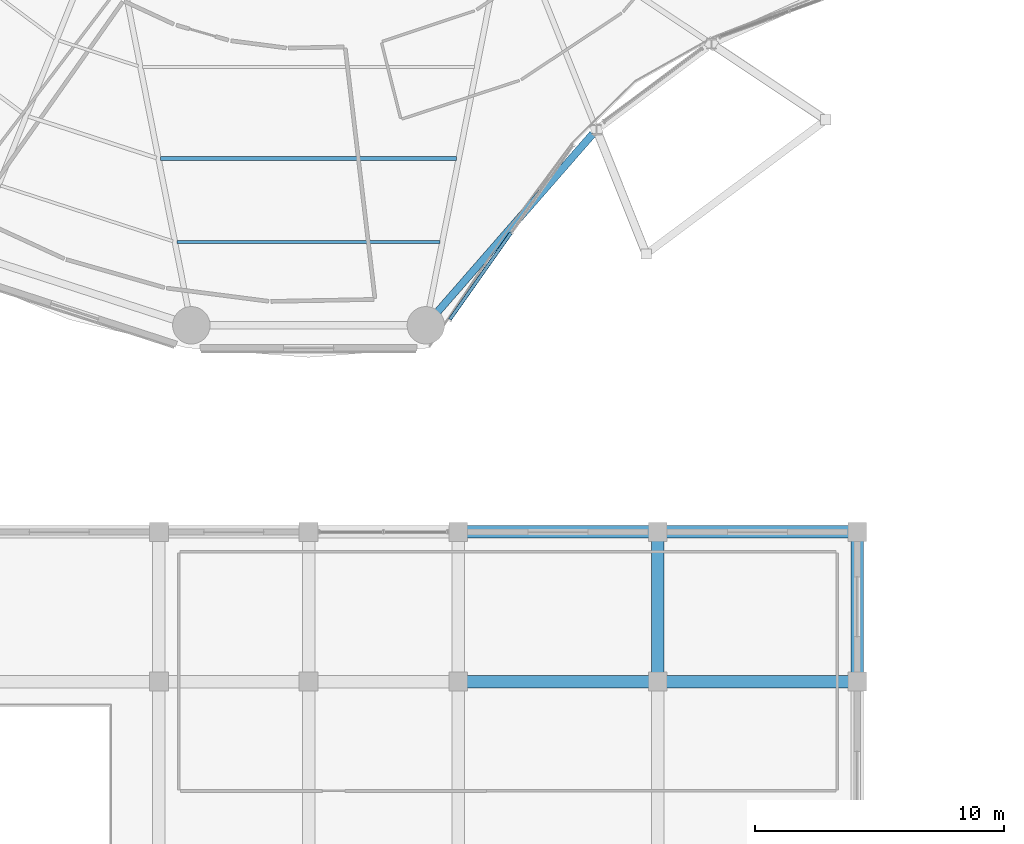
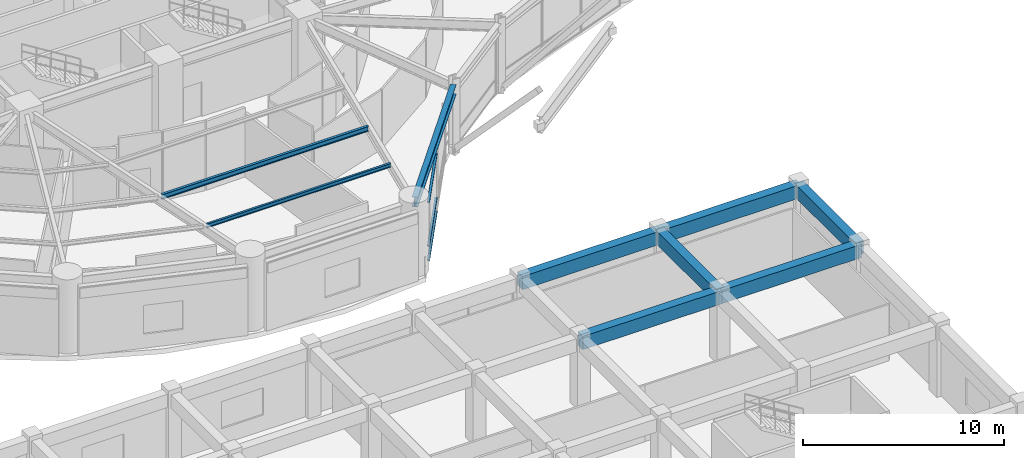
# One storey, part 19 of 55: 9 beams, 3 members, 1 element without a shape of its own.
"""IFC4 building model written with IfcOpenShell, lengths in metres."""

from ifc_helpers import new_model, si_unit, direction, frame, origin, origin_2d, place, context, subcontext, project, spatial, rectangle, hollow_rectangle, i_section, extrude, material, layer, layer_set, material_profile, profile_set, type_object, element, aggregate, save


model = new_model("IFC4")

# Units and contexts
model_context = context("Model", 3, precision=1e-05, world=origin(), true_north=direction((0.0, 1.0)))
body_context = subcontext(model_context, "Body", "Model", "MODEL_VIEW")
ifc_project = project(units=[si_unit("LENGTHUNIT", "METRE"), si_unit("AREAUNIT", "SQUARE_METRE"), si_unit("VOLUMEUNIT", "CUBIC_METRE"), si_unit("PLANEANGLEUNIT", "RADIAN"), si_unit("MASSUNIT", "GRAM", prefix="KILO")], contexts=[model_context])

# Site, building, storey
site_placement = place(None, origin())
site = spatial("IfcSite", under=ifc_project, at=site_placement, CompositionType="ELEMENT")
building_placement = place(site_placement, origin())
building = spatial("IfcBuilding", under=site, at=building_placement, Name="Kelanora Arch Commons", CompositionType="ELEMENT")
storey_placement = place(building_placement, frame((0.0, 0.0, 4.5)))
storey = spatial("IfcBuildingStorey", under=building, at=storey_placement, Name="L01", CompositionType="ELEMENT", Elevation=4.5)

# Beams
ifc_material_1 = material(Name="Steel S355", Category="steel")
ifc_material_profile_1 = material_profile(ifc_material_1, i_section(OverallWidth=0.14990234375, OverallDepth=0.300048828125, WebThickness=0.007080078125, FlangeThickness=0.0107421875, FilletRadius=0.014892578125, at=origin_2d()), Name="IPE300")
ifc_profile_set_1 = profile_set([ifc_material_profile_1], Name="Steel S355")
beam_type_1 = type_object("IfcBeamType", Name="BM-JST-01", PredefinedType="JOIST", material=ifc_profile_set_1)
beam_1_placement = place(storey_placement, frame((68.063720703125, 40.971435546875, 4.050048828125), z_axis=(1.0, 0.0, 0.0), x_axis=(0.0, 1.0, 0.0)))
element("IfcBeam", 1, at=beam_1_placement, inside=storey, type_object=beam_type_1, Name="Secondary Chord Joist BJB-26 L01", PredefinedType="JOIST", context=body_context, shape_type="SweptSolid", body=[
    extrude(i_section(OverallWidth=0.14990234375, OverallDepth=0.300048828125, WebThickness=0.007080078125, FlangeThickness=0.0107421875, FilletRadius=0.014892578125, at=origin_2d()), origin(), (0.0, 0.0, 1.0), 11.87255859375),
])
ifc_material_profile_2 = material_profile(ifc_material_1, i_section(OverallWidth=0.1201171875, OverallDepth=0.239990234375, WebThickness=0.006103515625, FlangeThickness=0.009765625, FilletRadius=0.014892578125, at=origin_2d()), Name="IPE240")
ifc_profile_set_2 = profile_set([ifc_material_profile_2], Name="Steel S355")
beam_type_2 = type_object("IfcBeamType", Name="BM-JST-02", PredefinedType="JOIST", material=ifc_profile_set_2)
beam_2_placement = place(storey_placement, frame((68.72314453125, 37.628662109375, 4.080078125), z_axis=(1.0, 0.0, 0.0), x_axis=(0.0, 1.0, 0.0)))
element("IfcBeam", 2, at=beam_2_placement, inside=storey, type_object=beam_type_2, Name="Secondary Chord Joist BJC-26 L01", PredefinedType="JOIST", context=body_context, shape_type="SweptSolid", body=[
    extrude(i_section(OverallWidth=0.1201171875, OverallDepth=0.239990234375, WebThickness=0.006103515625, FlangeThickness=0.009765625, FilletRadius=0.014892578125, at=origin_2d()), origin(), (0.0, 0.0, 1.0), 10.5537109375),
])
ifc_material_2 = material(Name="Concrete C40/50", Category="concrete")
ifc_material_profile_3 = material_profile(ifc_material_2, rectangle(XDim=0.5, YDim=0.800048828125, at=origin_2d()), Name="RCB500x800")
ifc_profile_set_3 = profile_set([ifc_material_profile_3], Name="Concrete C40/50")
beam_type_3 = type_object("IfcBeamType", Name="BM-MKT-RC1", PredefinedType="BEAM", material=ifc_profile_set_3)
for number, where, z_axis, x_axis, name in (
    (3, (80.0, 20.0, 3.840087890625), (1.0, 0.0, 0.0), (0.0, 1.0, 0.0), "Market/Basement Frame Beam 133 L01"),
    (4, (80.0, 26.0, 3.840087890625), (1.0, 0.0, 0.0), (0.0, 1.0, 0.0), "Market/Basement Frame Beam 135 L01"),
    (5, (88.0, 20.0, 3.840087890625), (1.0, 0.0, 0.0), (0.0, 1.0, 0.0), "Market/Basement Frame Beam 139 L01"),
):
    element("IfcBeam", number, at=place(storey_placement, frame(where, z_axis=z_axis, x_axis=x_axis)), inside=storey, type_object=beam_type_3, Name=name, PredefinedType="BEAM", context=body_context, shape_type="SweptSolid", body=[
        extrude(rectangle(XDim=0.5, YDim=0.800048828125, at=origin_2d()), origin(), (0.0, 0.0, 1.0), 8.0),
    ])
beam_3_placement = place(storey_placement, frame((88.0, 20.0, 3.840087890625), z_axis=(0.0, 1.0, 0.0), x_axis=(-1.0, 0.0, 0.0)))
element("IfcBeam", 6, at=beam_3_placement, inside=storey, type_object=beam_type_3, Name="Market/Basement Frame Beam 140 L01", PredefinedType="BEAM", context=body_context, shape_type="SweptSolid", body=[
    extrude(rectangle(XDim=0.5, YDim=0.800048828125, at=origin_2d()), origin(), (0.0, 0.0, 1.0), 6.0),
])
beam_4_placement = place(storey_placement, frame((88.0, 26.0, 3.840087890625), z_axis=(1.0, 0.0, 0.0), x_axis=(0.0, 1.0, 0.0)))
element("IfcBeam", 7, at=beam_4_placement, inside=storey, type_object=beam_type_3, Name="Market/Basement Frame Beam 141 L01", PredefinedType="BEAM", context=body_context, shape_type="SweptSolid", body=[
    extrude(rectangle(XDim=0.5, YDim=0.800048828125, at=origin_2d()), origin(), (0.0, 0.0, 1.0), 8.0),
])
beam_5_placement = place(storey_placement, frame((96.0, 20.0, 3.840087890625), z_axis=(0.0, 1.0, 0.0), x_axis=(-1.0, 0.0, 0.0)))
element("IfcBeam", 8, at=beam_5_placement, inside=storey, type_object=beam_type_3, Name="Market/Basement Frame Beam 144 L01", PredefinedType="BEAM", context=body_context, shape_type="SweptSolid", body=[
    extrude(rectangle(XDim=0.5, YDim=0.800048828125, at=origin_2d()), origin(), (0.0, 0.0, 1.0), 6.0),
])
ifc_material_profile_4 = material_profile(ifc_material_1, i_section(OverallWidth=0.300048828125, OverallDepth=0.60009765625, WebThickness=0.015380859375, FlangeThickness=0.030029296875, FilletRadius=0.027099609375, at=origin_2d()), Name="HEB600")
ifc_profile_set_4 = profile_set([ifc_material_profile_4], Name="Steel S355")
beam_type_4 = type_object("IfcBeamType", Name="BM-SPN-Z1", PredefinedType="SPANDREL", material=ifc_profile_set_4)
beam_6_placement = place(storey_placement, frame((78.846923828125, 34.45166015625, 3.89990234375), z_axis=(0.657217586408, 0.753700898311, 0.0), x_axis=(-0.753700898311, 0.657217586408, 0.0)))
element("IfcBeam", 9, at=beam_6_placement, inside=storey, type_object=beam_type_4, Name="Perimeter Spandrel Beam BS-28 L01", PredefinedType="SPANDREL", context=body_context, shape_type="SweptSolid", body=[
    extrude(i_section(OverallWidth=0.300048828125, OverallDepth=0.60009765625, WebThickness=0.015380859375, FlangeThickness=0.030029296875, FilletRadius=0.027099609375, at=origin_2d()), origin(), (0.0, 0.0, 1.0), 9.97216796875),
])

# Curtain wall, members
ifc_material_3 = material(Name="Terracotta ceramic-fritted low-E glass and aluminium", Category="masonry")
ifc_layer = layer(ifc_material_3, 0.2099609375)
ifc_layer_set = layer_set([ifc_layer], Name="Terracotta ceramic-fritted low-E glass and aluminium")
curtain_wall_type = type_object("IfcCurtainWallType", Name="CW-SYS-04", PredefinedType="NOTDEFINED", material=ifc_layer_set)
curtain_wall_placement = place(storey_placement, origin())
curtain_wall = element("IfcCurtainWall", 10, at=curtain_wall_placement, inside=storey, type_object=curtain_wall_type, Name="Unitised Curtain Wall L01-B14", PredefinedType="NOTDEFINED")
ifc_material_4 = material(Name="Powder-coated aluminium terracotta", Category="masonry")
ifc_material_profile_5 = material_profile(ifc_material_4, hollow_rectangle(XDim=0.139892578125, YDim=0.06005859375, WallThickness=0.0048828125, InnerFilletRadius=0.0048828125, OuterFilletRadius=0.010009765625, at=origin_2d()), Name="CWT140x60")
ifc_profile_set_5 = profile_set([ifc_material_profile_5], Name="Powder-coated aluminium terracotta")
member_type = type_object("IfcMemberType", Name="CWT-HVY", PredefinedType="USERDEFINED", material=ifc_profile_set_5)
member_1_placement = place(storey_placement, frame((79.6640625, 34.51708984375, 0.030029296875), z_axis=(0.576359985732, 0.817195917052, 0.0), x_axis=(-0.817195917052, 0.576359985732, 0.0)))
member_1 = element("IfcMember", 11, at=member_1_placement, type_object=member_type, Name="CW-04 transom 1.1", ObjectType="TRANSOM", PredefinedType="USERDEFINED", context=body_context, shape_type="SweptSolid", body=[
    extrude(hollow_rectangle(XDim=0.139892578125, YDim=0.06005859375, WallThickness=0.0048828125, InnerFilletRadius=0.0048828125, OuterFilletRadius=0.010009765625, at=origin_2d()), origin(), (0.0, 0.0, 1.0), 4.241455078125),
])
member_2_placement = place(storey_placement, frame((79.6640625, 34.51708984375, 0.89990234375), z_axis=(0.576359985732, 0.817195917052, 0.0), x_axis=(-0.817195917052, 0.576359985732, 0.0)))
member_2 = element("IfcMember", 12, at=member_2_placement, type_object=member_type, Name="CW-04 transom 1.2", ObjectType="TRANSOM", PredefinedType="USERDEFINED", context=body_context, shape_type="SweptSolid", body=[
    extrude(hollow_rectangle(XDim=0.139892578125, YDim=0.06005859375, WallThickness=0.0048828125, InnerFilletRadius=0.0048828125, OuterFilletRadius=0.010009765625, at=origin_2d()), origin(), (0.0, 0.0, 1.0), 4.241455078125),
])
member_3_placement = place(storey_placement, frame((79.6640625, 34.51708984375, 3.550048828125), z_axis=(0.576359985732, 0.817195917052, 0.0), x_axis=(-0.817195917052, 0.576359985732, 0.0)))
member_3 = element("IfcMember", 13, at=member_3_placement, type_object=member_type, Name="CW-04 transom 1.3", ObjectType="TRANSOM", PredefinedType="USERDEFINED", context=body_context, shape_type="SweptSolid", body=[
    extrude(hollow_rectangle(XDim=0.139892578125, YDim=0.06005859375, WallThickness=0.0048828125, InnerFilletRadius=0.0048828125, OuterFilletRadius=0.010009765625, at=origin_2d()), origin(), (0.0, 0.0, 1.0), 4.241455078125),
])
aggregate(curtain_wall, [member_1, member_2, member_3])

save(model, "model.ifc")
